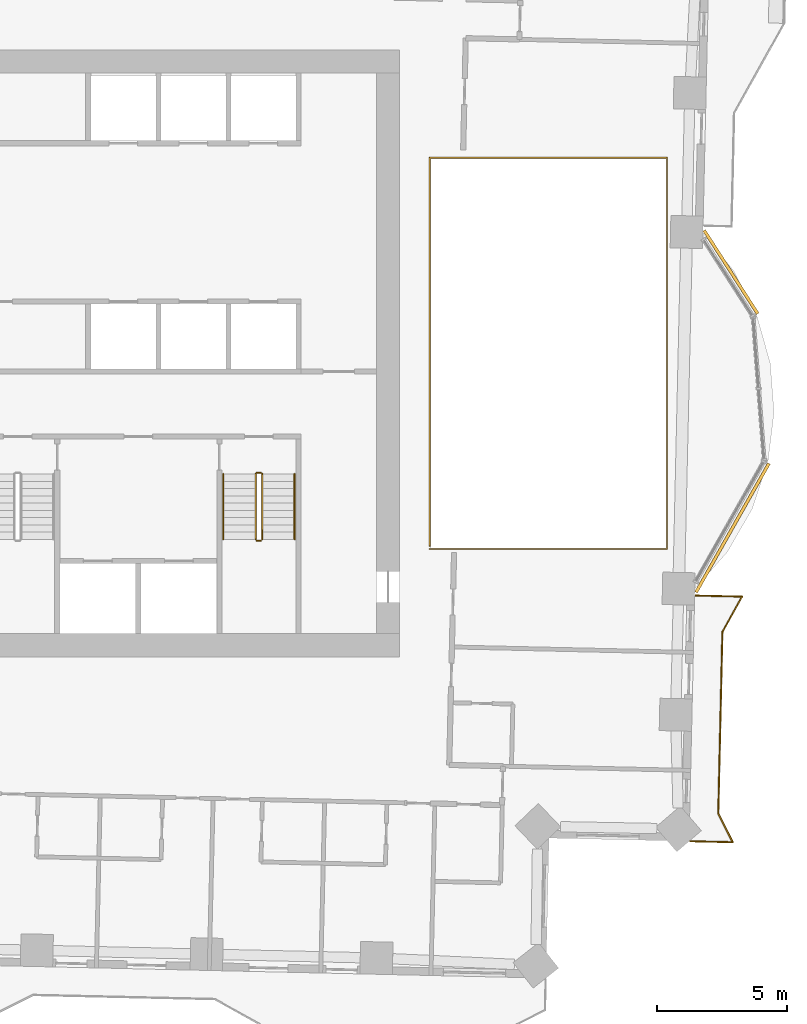
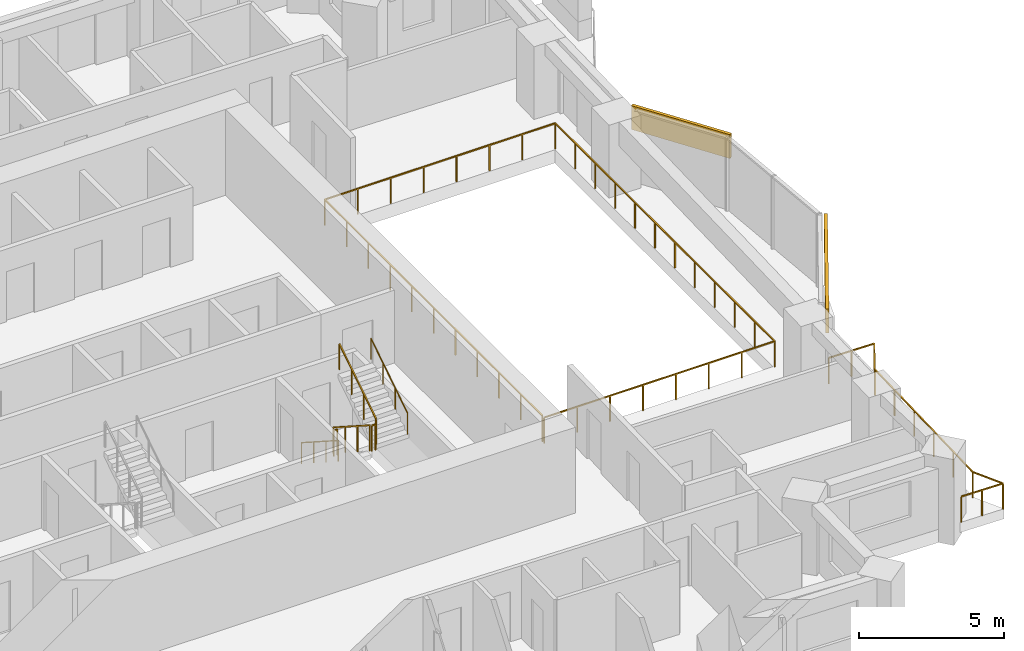
# One storey, part 13 of 14: 8 railings, 2 coverings.
"""IFC4 building model written with IfcOpenShell, lengths in metres."""

from ifc_helpers import new_model, si_unit, direction, frame, frame_2d, origin, origin_2d, place, context, subcontext, project, spatial, rectangle, circle, extrude, material, layer, layer_set, type_object, element, save


model = new_model("IFC4")

# Units and contexts
model_context = context("Model", 3, precision=1e-05, world=origin(), true_north=direction((0.0, 1.0)))
body_context = subcontext(model_context, "Body", "Model", "MODEL_VIEW")
ifc_project = project(units=[si_unit("LENGTHUNIT", "METRE"), si_unit("AREAUNIT", "SQUARE_METRE"), si_unit("VOLUMEUNIT", "CUBIC_METRE"), si_unit("PLANEANGLEUNIT", "RADIAN"), si_unit("MASSUNIT", "GRAM", prefix="KILO")], contexts=[model_context])

# Site, building, storey
site_placement = place(None, origin())
site = spatial("IfcSite", under=ifc_project, at=site_placement, CompositionType="ELEMENT")
building_placement = place(site_placement, origin())
building = spatial("IfcBuilding", under=site, at=building_placement, Name="Mangrove Gate Tower", CompositionType="ELEMENT")
storey_placement = place(building_placement, frame((0.0, 0.0, 152.699951171875)))
storey = spatial("IfcBuildingStorey", under=building, at=storey_placement, Name="L38", CompositionType="ELEMENT", Elevation=152.699951171875)

# Railings
ifc_material_1 = material(Name="Stainless steel grade 316 with laminated glass infill", Category="steel")
railing_type_1 = type_object("IfcRailingType", Name="Balcony guard 1100", PredefinedType="GUARDRAIL", material=ifc_material_1)
railing_1_placement = place(storey_placement, frame((25.89697265625, -18.805908203125, 0.0)))
element("IfcRailing", 1, at=railing_1_placement, inside=storey, type_object=railing_type_1, Name="GUARD L38 E1", PredefinedType="GUARDRAIL", context=body_context, shape_type="SweptSolid", body=[
    extrude(rectangle(XDim=0.048095703125, YDim=0.048095703125, at=origin_2d()), frame((0.0, 0.0, 1.076171875), z_axis=(0.999744439543, -0.022606538948, 0.0), x_axis=(0.022606538948, 0.999744439543, 0.0)), (0.0, 0.0, 1.0), 1.6416015625),
    extrude(rectangle(XDim=0.048095703125, YDim=0.048095703125, at=origin_2d()), frame((1.64111328125, -0.037109375, 1.076171875), z_axis=(-0.446978121819, 0.8945448891, 0.0), x_axis=(-0.8945448891, -0.446978121819, 0.0)), (0.0, 0.0, 1.0), 1.244140625),
    extrude(rectangle(XDim=0.048095703125, YDim=0.048095703125, at=origin_2d()), frame((1.0849609375, 1.075927734375, 1.076171875), z_axis=(0.022740419861, 0.999741403216, 0.0), x_axis=(-0.999741403216, 0.022740419861, 0.0)), (0.0, 0.0, 1.0), 6.999755859375),
    extrude(rectangle(XDim=0.048095703125, YDim=0.048095703125, at=origin_2d()), frame((1.244140625, 8.073974609375, 1.076171875), z_axis=(0.48684254189, 0.87348974774, 0.0), x_axis=(-0.87348974774, 0.48684254189, 0.0)), (0.0, 0.0, 1.0), 1.5546875),
    extrude(rectangle(XDim=0.048095703125, YDim=0.048095703125, at=origin_2d()), frame((2.0009765625, 9.431884765625, 1.076171875), z_axis=(-0.999748773553, 0.02241405316, 0.0), x_axis=(-0.02241405316, -0.999748773553, 0.0)), (0.0, 0.0, 1.0), 1.786376953125),
    extrude(rectangle(XDim=0.0419921875, YDim=0.0419921875, at=origin_2d()), origin(), (0.0, 0.0, 1.0), 1.052001953125),
    extrude(rectangle(XDim=0.0419921875, YDim=0.0419921875, at=origin_2d()), frame((0.820556640625, -0.0185546875, 0.0)), (0.0, 0.0, 1.0), 1.052001953125),
    extrude(rectangle(XDim=0.0419921875, YDim=0.0419921875, at=origin_2d()), frame((1.64111328125, -0.037109375, 0.0)), (0.0, 0.0, 1.0), 1.052001953125),
    extrude(rectangle(XDim=0.0419921875, YDim=0.0419921875, at=origin_2d()), frame((1.0849609375, 1.075927734375, 0.0)), (0.0, 0.0, 1.0), 1.052001953125),
    extrude(rectangle(XDim=0.0419921875, YDim=0.0419921875, at=origin_2d()), frame((1.11669921875, 2.4755859375, 0.0)), (0.0, 0.0, 1.0), 1.052001953125),
    extrude(rectangle(XDim=0.0419921875, YDim=0.0419921875, at=origin_2d()), frame((1.148681640625, 3.875244140625, 0.0)), (0.0, 0.0, 1.0), 1.052001953125),
    extrude(rectangle(XDim=0.0419921875, YDim=0.0419921875, at=origin_2d()), frame((1.180419921875, 5.274658203125, 0.0)), (0.0, 0.0, 1.0), 1.052001953125),
    extrude(rectangle(XDim=0.0419921875, YDim=0.0419921875, at=origin_2d()), frame((1.21240234375, 6.67431640625, 0.0)), (0.0, 0.0, 1.0), 1.052001953125),
    extrude(rectangle(XDim=0.0419921875, YDim=0.0419921875, at=origin_2d()), frame((1.244140625, 8.073974609375, 0.0)), (0.0, 0.0, 1.0), 1.052001953125),
    extrude(rectangle(XDim=0.0419921875, YDim=0.0419921875, at=origin_2d()), frame((1.62255859375, 8.7529296875, 0.0)), (0.0, 0.0, 1.0), 1.052001953125),
    extrude(rectangle(XDim=0.0419921875, YDim=0.0419921875, at=origin_2d()), frame((2.0009765625, 9.431884765625, 0.0)), (0.0, 0.0, 1.0), 1.052001953125),
    extrude(rectangle(XDim=0.0419921875, YDim=0.0419921875, at=origin_2d()), frame((1.10791015625, 9.451904296875, 0.0)), (0.0, 0.0, 1.0), 1.052001953125),
    extrude(rectangle(XDim=0.0419921875, YDim=0.0419921875, at=origin_2d()), frame((0.215087890625, 9.471923828125, 0.0)), (0.0, 0.0, 1.0), 1.052001953125),
])
railing_2_placement = place(storey_placement, frame((15.860107421875, -7.5400390625, 0.0)))
element("IfcRailing", 2, at=railing_2_placement, inside=storey, type_object=railing_type_1, Name="GUARD L38 atrium", PredefinedType="GUARDRAIL", context=body_context, shape_type="SweptSolid", body=[
    extrude(rectangle(XDim=0.048095703125, YDim=0.048095703125, at=origin_2d()), frame((0.0, 0.0, 1.076171875), z_axis=(1.0, 0.0, 0.0), x_axis=(0.0, 1.0, 0.0)), (0.0, 0.0, 1.0), 9.143798828125),
    extrude(rectangle(XDim=0.048095703125, YDim=0.048095703125, at=origin_2d()), frame((9.143798828125, 0.0, 1.076171875), z_axis=(0.0, 1.0, 0.0), x_axis=(-1.0, 0.0, 0.0)), (0.0, 0.0, 1.0), 15.080078125),
    extrude(rectangle(XDim=0.048095703125, YDim=0.048095703125, at=origin_2d()), frame((9.143798828125, 15.080078125, 1.076171875), z_axis=(-1.0, 0.0, 0.0), x_axis=(0.0, -1.0, 0.0)), (0.0, 0.0, 1.0), 9.143798828125),
    extrude(rectangle(XDim=0.048095703125, YDim=0.048095703125, at=origin_2d()), frame((0.0, 15.080078125, 1.076171875), z_axis=(0.0, -1.0, 0.0), x_axis=(1.0, 0.0, 0.0)), (0.0, 0.0, 1.0), 14.9599609375),
    extrude(rectangle(XDim=0.0419921875, YDim=0.0419921875, at=origin_2d()), origin(), (0.0, 0.0, 1.0), 1.052001953125),
    extrude(rectangle(XDim=0.0419921875, YDim=0.0419921875, at=origin_2d()), frame((1.30615234375, 0.0, 0.0)), (0.0, 0.0, 1.0), 1.052001953125),
    extrude(rectangle(XDim=0.0419921875, YDim=0.0419921875, at=origin_2d()), frame((2.612548828125, 0.0, 0.0)), (0.0, 0.0, 1.0), 1.052001953125),
    extrude(rectangle(XDim=0.0419921875, YDim=0.0419921875, at=origin_2d()), frame((3.918701171875, 0.0, 0.0)), (0.0, 0.0, 1.0), 1.052001953125),
    extrude(rectangle(XDim=0.0419921875, YDim=0.0419921875, at=origin_2d()), frame((5.22509765625, 0.0, 0.0)), (0.0, 0.0, 1.0), 1.052001953125),
    extrude(rectangle(XDim=0.0419921875, YDim=0.0419921875, at=origin_2d()), frame((6.53125, 0.0, 0.0)), (0.0, 0.0, 1.0), 1.052001953125),
    extrude(rectangle(XDim=0.0419921875, YDim=0.0419921875, at=origin_2d()), frame((7.837646484375, 0.0, 0.0)), (0.0, 0.0, 1.0), 1.052001953125),
    extrude(rectangle(XDim=0.0419921875, YDim=0.0419921875, at=origin_2d()), frame((9.143798828125, 0.0, 0.0)), (0.0, 0.0, 1.0), 1.052001953125),
    extrude(rectangle(XDim=0.0419921875, YDim=0.0419921875, at=origin_2d()), frame((9.143798828125, 1.370849609375, 0.0)), (0.0, 0.0, 1.0), 1.052001953125),
    extrude(rectangle(XDim=0.0419921875, YDim=0.0419921875, at=origin_2d()), frame((9.143798828125, 2.741943359375, 0.0)), (0.0, 0.0, 1.0), 1.052001953125),
    extrude(rectangle(XDim=0.0419921875, YDim=0.0419921875, at=origin_2d()), frame((9.143798828125, 4.11279296875, 0.0)), (0.0, 0.0, 1.0), 1.052001953125),
    extrude(rectangle(XDim=0.0419921875, YDim=0.0419921875, at=origin_2d()), frame((9.143798828125, 5.483642578125, 0.0)), (0.0, 0.0, 1.0), 1.052001953125),
    extrude(rectangle(XDim=0.0419921875, YDim=0.0419921875, at=origin_2d()), frame((9.143798828125, 6.8544921875, 0.0)), (0.0, 0.0, 1.0), 1.052001953125),
    extrude(rectangle(XDim=0.0419921875, YDim=0.0419921875, at=origin_2d()), frame((9.143798828125, 8.2255859375, 0.0)), (0.0, 0.0, 1.0), 1.052001953125),
    extrude(rectangle(XDim=0.0419921875, YDim=0.0419921875, at=origin_2d()), frame((9.143798828125, 9.596435546875, 0.0)), (0.0, 0.0, 1.0), 1.052001953125),
    extrude(rectangle(XDim=0.0419921875, YDim=0.0419921875, at=origin_2d()), frame((9.143798828125, 10.96728515625, 0.0)), (0.0, 0.0, 1.0), 1.052001953125),
    extrude(rectangle(XDim=0.0419921875, YDim=0.0419921875, at=origin_2d()), frame((9.143798828125, 12.338134765625, 0.0)), (0.0, 0.0, 1.0), 1.052001953125),
    extrude(rectangle(XDim=0.0419921875, YDim=0.0419921875, at=origin_2d()), frame((9.143798828125, 13.709228515625, 0.0)), (0.0, 0.0, 1.0), 1.052001953125),
    extrude(rectangle(XDim=0.0419921875, YDim=0.0419921875, at=origin_2d()), frame((9.143798828125, 15.080078125, 0.0)), (0.0, 0.0, 1.0), 1.052001953125),
    extrude(rectangle(XDim=0.0419921875, YDim=0.0419921875, at=origin_2d()), frame((7.837646484375, 15.080078125, 0.0)), (0.0, 0.0, 1.0), 1.052001953125),
    extrude(rectangle(XDim=0.0419921875, YDim=0.0419921875, at=origin_2d()), frame((6.53125, 15.080078125, 0.0)), (0.0, 0.0, 1.0), 1.052001953125),
    extrude(rectangle(XDim=0.0419921875, YDim=0.0419921875, at=origin_2d()), frame((5.22509765625, 15.080078125, 0.0)), (0.0, 0.0, 1.0), 1.052001953125),
    extrude(rectangle(XDim=0.0419921875, YDim=0.0419921875, at=origin_2d()), frame((3.918701171875, 15.080078125, 0.0)), (0.0, 0.0, 1.0), 1.052001953125),
    extrude(rectangle(XDim=0.0419921875, YDim=0.0419921875, at=origin_2d()), frame((2.612548828125, 15.080078125, 0.0)), (0.0, 0.0, 1.0), 1.052001953125),
    extrude(rectangle(XDim=0.0419921875, YDim=0.0419921875, at=origin_2d()), frame((1.30615234375, 15.080078125, 0.0)), (0.0, 0.0, 1.0), 1.052001953125),
    extrude(rectangle(XDim=0.0419921875, YDim=0.0419921875, at=origin_2d()), frame((0.0, 15.080078125, 0.0)), (0.0, 0.0, 1.0), 1.052001953125),
    extrude(rectangle(XDim=0.0419921875, YDim=0.0419921875, at=origin_2d()), frame((0.0, 13.583984375, 0.0)), (0.0, 0.0, 1.0), 1.052001953125),
    extrude(rectangle(XDim=0.0419921875, YDim=0.0419921875, at=origin_2d()), frame((0.0, 12.088134765625, 0.0)), (0.0, 0.0, 1.0), 1.052001953125),
    extrude(rectangle(XDim=0.0419921875, YDim=0.0419921875, at=origin_2d()), frame((0.0, 10.592041015625, 0.0)), (0.0, 0.0, 1.0), 1.052001953125),
    extrude(rectangle(XDim=0.0419921875, YDim=0.0419921875, at=origin_2d()), frame((0.0, 9.09619140625, 0.0)), (0.0, 0.0, 1.0), 1.052001953125),
    extrude(rectangle(XDim=0.0419921875, YDim=0.0419921875, at=origin_2d()), frame((0.0, 7.60009765625, 0.0)), (0.0, 0.0, 1.0), 1.052001953125),
    extrude(rectangle(XDim=0.0419921875, YDim=0.0419921875, at=origin_2d()), frame((0.0, 6.10400390625, 0.0)), (0.0, 0.0, 1.0), 1.052001953125),
    extrude(rectangle(XDim=0.0419921875, YDim=0.0419921875, at=origin_2d()), frame((0.0, 4.608154296875, 0.0)), (0.0, 0.0, 1.0), 1.052001953125),
    extrude(rectangle(XDim=0.0419921875, YDim=0.0419921875, at=origin_2d()), frame((0.0, 3.112060546875, 0.0)), (0.0, 0.0, 1.0), 1.052001953125),
    extrude(rectangle(XDim=0.0419921875, YDim=0.0419921875, at=origin_2d()), frame((0.0, 1.6162109375, 0.0)), (0.0, 0.0, 1.0), 1.052001953125),
    extrude(rectangle(XDim=0.0419921875, YDim=0.0419921875, at=origin_2d()), frame((0.0, 0.1201171875, 0.0)), (0.0, 0.0, 1.0), 1.052001953125),
])
ifc_material_2 = material(Name="Stainless steel 316", Category="steel")
railing_type_2 = type_object("IfcRailingType", Name="Core stair guard 1100", PredefinedType="GUARDRAIL", material=ifc_material_2)
railing_3_placement = place(storey_placement, frame((9.14990234375, -4.64990234375, 0.179931640625)))
element("IfcRailing", 3, at=railing_3_placement, inside=storey, type_object=railing_type_2, Name="L38 ST3 stair guard 1", PredefinedType="GUARDRAIL", context=body_context, shape_type="SweptSolid", body=[
    extrude(rectangle(XDim=0.048095703125, YDim=0.048095703125, at=origin_2d()), frame((0.0, 0.0, 1.076171875), z_axis=(0.0, -0.841162588446, 0.540782303519), x_axis=(1.0, 0.0, 0.0)), (0.0, 0.0, 1.0), 2.995849609375),
    extrude(rectangle(XDim=0.0419921875, YDim=0.0419921875, at=origin_2d()), origin(), (0.0, 0.0, 1.0), 1.052001953125),
    extrude(rectangle(XDim=0.0419921875, YDim=0.0419921875, at=origin_2d()), frame((0.0, -0.840087890625, 0.5400390625)), (0.0, 0.0, 1.0), 1.052001953125),
    extrude(rectangle(XDim=0.0419921875, YDim=0.0419921875, at=origin_2d()), frame((0.0, -1.679931640625, 1.080078125)), (0.0, 0.0, 1.0), 1.052001953125),
    extrude(rectangle(XDim=0.0419921875, YDim=0.0419921875, at=origin_2d()), frame((0.0, -2.52001953125, 1.6201171875)), (0.0, 0.0, 1.0), 1.052001953125),
])
railing_4_placement = place(storey_placement, frame((9.199951171875, -7.219970703125, 1.800048828125)))
element("IfcRailing", 4, at=railing_4_placement, inside=storey, type_object=railing_type_2, Name="L38 ST3 stair guard 2", PredefinedType="GUARDRAIL", context=body_context, shape_type="SweptSolid", body=[
    extrude(rectangle(XDim=0.048095703125, YDim=0.048095703125, at=origin_2d()), frame((0.0, 0.0, 1.076171875), z_axis=(1.0, 0.0, 0.0), x_axis=(0.0, 1.0, 0.0)), (0.0, 0.0, 1.0), 0.150146484375),
    extrude(rectangle(XDim=0.0419921875, YDim=0.0419921875, at=origin_2d()), origin(), (0.0, 0.0, 1.0), 1.052001953125),
    extrude(rectangle(XDim=0.0419921875, YDim=0.0419921875, at=origin_2d()), frame((0.150146484375, 0.0, 0.0)), (0.0, 0.0, 1.0), 1.052001953125),
])
railing_5_placement = place(storey_placement, frame((9.39990234375, -7.169921875, 1.97998046875)))
element("IfcRailing", 5, at=railing_5_placement, inside=storey, type_object=railing_type_2, Name="L38 ST3 stair guard 3", PredefinedType="GUARDRAIL", context=body_context, shape_type="SweptSolid", body=[
    extrude(rectangle(XDim=0.048095703125, YDim=0.048095703125, at=origin_2d()), frame((0.0, 0.0, 1.076171875), z_axis=(0.0, 0.841162588446, 0.540782303519), x_axis=(-1.0, 0.0, 0.0)), (0.0, 0.0, 1.0), 2.995849609375),
    extrude(rectangle(XDim=0.0419921875, YDim=0.0419921875, at=origin_2d()), origin(), (0.0, 0.0, 1.0), 1.052001953125),
    extrude(rectangle(XDim=0.0419921875, YDim=0.0419921875, at=origin_2d()), frame((0.0, 0.840087890625, 0.5400390625)), (0.0, 0.0, 1.0), 1.052001953125),
    extrude(rectangle(XDim=0.0419921875, YDim=0.0419921875, at=origin_2d()), frame((0.0, 1.679931640625, 1.080078125)), (0.0, 0.0, 1.0), 1.052001953125),
    extrude(rectangle(XDim=0.0419921875, YDim=0.0419921875, at=origin_2d()), frame((0.0, 2.52001953125, 1.6201171875)), (0.0, 0.0, 1.0), 1.052001953125),
])
railing_6_placement = place(storey_placement, frame((9.199951171875, -4.60009765625, 0.0)))
element("IfcRailing", 6, at=railing_6_placement, inside=storey, type_object=railing_type_2, Name="L38 ST3 stair guard 4", PredefinedType="GUARDRAIL", context=body_context, shape_type="SweptSolid", body=[
    extrude(rectangle(XDim=0.048095703125, YDim=0.048095703125, at=origin_2d()), frame((0.0, 0.0, 1.076171875), z_axis=(1.0, 0.0, 0.0), x_axis=(0.0, 1.0, 0.0)), (0.0, 0.0, 1.0), 0.150146484375),
    extrude(rectangle(XDim=0.0419921875, YDim=0.0419921875, at=origin_2d()), origin(), (0.0, 0.0, 1.0), 1.052001953125),
    extrude(rectangle(XDim=0.0419921875, YDim=0.0419921875, at=origin_2d()), frame((0.150146484375, 0.0, 0.0)), (0.0, 0.0, 1.0), 1.052001953125),
])
ifc_material_3 = material(Name="Stainless steel 316", Category="steel")
railing_type_3 = type_object("IfcRailingType", Name="Core stair handrail 900", PredefinedType="HANDRAIL", material=ifc_material_3)
railing_7_placement = place(storey_placement, frame((7.89990234375, -4.64990234375, 0.179931640625)))
element("IfcRailing", 7, at=railing_7_placement, inside=storey, type_object=railing_type_3, Name="L38 ST3 stair handrail 1", PredefinedType="HANDRAIL", context=body_context, shape_type="SweptSolid", body=[
    extrude(circle(Radius=0.02392578125, at=origin_2d()), frame((0.0, 0.0, 0.8759765625), z_axis=(0.0, -0.841162588446, 0.540782303519), x_axis=(1.0, 0.0, 0.0)), (0.0, 0.0, 1.0), 2.995849609375),
    extrude(circle(Radius=0.02099609375, at=origin_2d()), origin(), (0.0, 0.0, 1.0), 0.851806640625),
    extrude(circle(Radius=0.02099609375, at=origin_2d()), frame((0.0, -0.840087890625, 0.5400390625)), (0.0, 0.0, 1.0), 0.851806640625),
    extrude(circle(Radius=0.02099609375, at=origin_2d()), frame((0.0, -1.679931640625, 1.080078125)), (0.0, 0.0, 1.0), 0.851806640625),
    extrude(circle(Radius=0.02099609375, at=origin_2d()), frame((0.0, -2.52001953125, 1.6201171875)), (0.0, 0.0, 1.0), 0.851806640625),
])
railing_8_placement = place(storey_placement, frame((10.64990234375, -7.169921875, 1.97998046875)))
element("IfcRailing", 8, at=railing_8_placement, inside=storey, type_object=railing_type_3, Name="L38 ST3 stair handrail 2", PredefinedType="HANDRAIL", context=body_context, shape_type="SweptSolid", body=[
    extrude(circle(Radius=0.02392578125, at=origin_2d()), frame((0.0, 0.0, 0.8759765625), z_axis=(0.0, 0.841162588446, 0.540782303519), x_axis=(-1.0, 0.0, 0.0)), (0.0, 0.0, 1.0), 2.995849609375),
    extrude(circle(Radius=0.02099609375, at=origin_2d()), origin(), (0.0, 0.0, 1.0), 0.851806640625),
    extrude(circle(Radius=0.02099609375, at=origin_2d()), frame((0.0, 0.840087890625, 0.5400390625)), (0.0, 0.0, 1.0), 0.851806640625),
    extrude(circle(Radius=0.02099609375, at=origin_2d()), frame((0.0, 1.679931640625, 1.080078125)), (0.0, 0.0, 1.0), 0.851806640625),
    extrude(circle(Radius=0.02099609375, at=origin_2d()), frame((0.0, 2.52001953125, 1.6201171875)), (0.0, 0.0, 1.0), 0.851806640625),
])

# Coverings
ifc_material_4 = material(Name="Limestone", Category="masonry")
ifc_layer_1 = layer(ifc_material_4, 0.0400390625, Name="Limestone cladding")
ifc_material_5 = material(Name="Stainless steel anchors and cavity", Category="steel")
ifc_layer_2 = layer(ifc_material_5, 0.080078125, Name="Fixing cavity")
ifc_layer_set = layer_set([ifc_layer_1, ifc_layer_2], Name="Joint fascia cladding 120")
covering_type = type_object("IfcCoveringType", Name="Joint fascia cladding 120", PredefinedType="CLADDING", material=ifc_layer_set)
covering_1_placement = place(storey_placement, frame((26.125, -9.208984375, 2.050048828125), z_axis=(0.0, 0.0, 1.0), x_axis=(0.492475934062, 0.870326062099, 0.0)))
element("IfcCovering", 9, at=covering_1_placement, inside=storey, type_object=covering_type, Name="STONE FASCIA L38 E1.L1", PredefinedType="CLADDING", context=body_context, shape_type="SweptSolid", body=[
    extrude(rectangle(XDim=5.7060546875, YDim=0.1201171875, at=frame_2d((2.85302734375, 0.0))), origin(), (0.0, 0.0, 1.0), 1.0),
])
covering_2_placement = place(storey_placement, frame((28.5, 1.530029296875, 2.050048828125), z_axis=(0.0, 0.0, 1.0), x_axis=(-0.540486138148, 0.841352919095, 0.0)))
element("IfcCovering", 10, at=covering_2_placement, inside=storey, type_object=covering_type, Name="STONE FASCIA L38 E1.L2", PredefinedType="CLADDING", context=body_context, shape_type="SweptSolid", body=[
    extrude(rectangle(XDim=3.818603515625, YDim=0.1201171875, at=frame_2d((1.9091796875, 0.0))), origin(), (0.0, 0.0, 1.0), 1.0),
])

save(model, "model.ifc")
